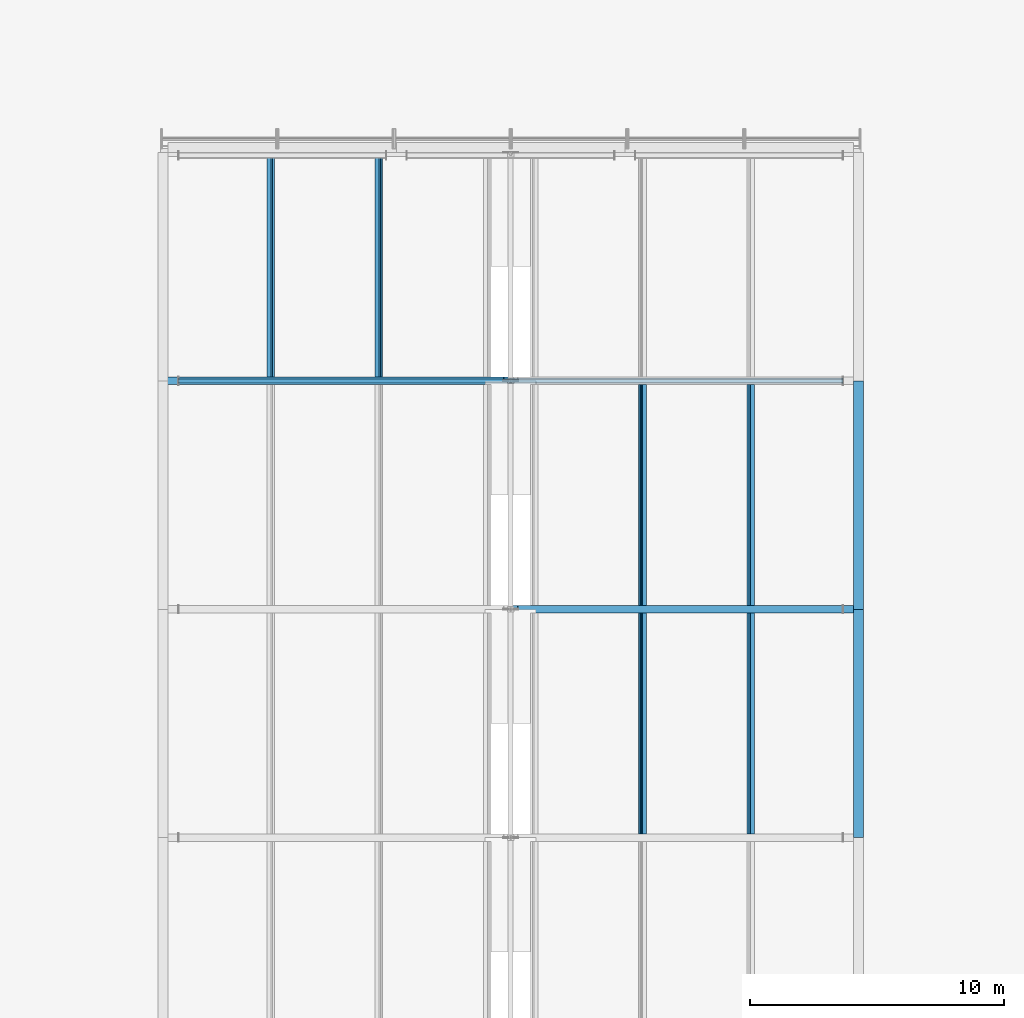
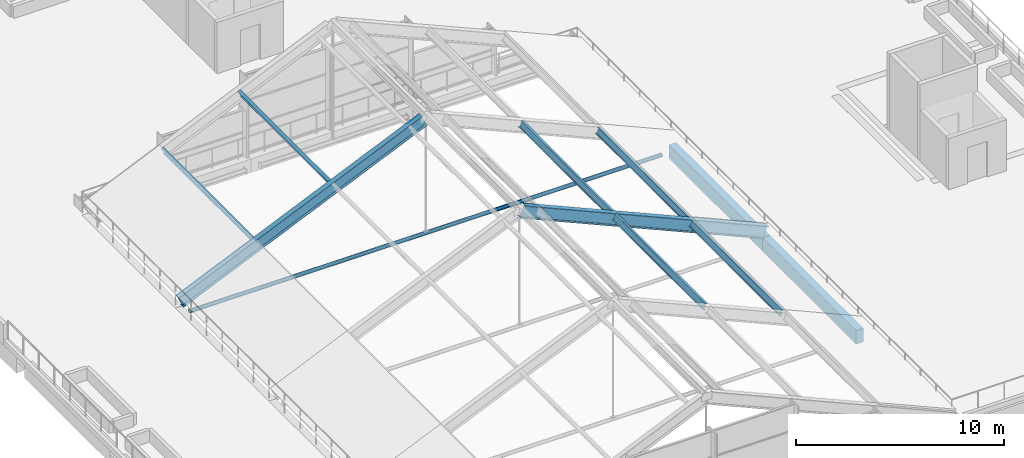
# One storey, part 42 of 106: 7 members, 4 beams.
"""IFC4 building model written with IfcOpenShell, lengths in metres."""

from ifc_helpers import new_model, si_unit, direction, frame, origin, origin_2d, place, context, subcontext, project, spatial, rectangle, hollow_circle, i_section, extrude, material, material_profile, profile_set, type_object, element, save


model = new_model("IFC4")

# Units and contexts
model_context = context("Model", 3, precision=1e-05, world=origin(), true_north=direction((0.0, 1.0)))
body_context = subcontext(model_context, "Body", "Model", "MODEL_VIEW")
ifc_project = project(units=[si_unit("LENGTHUNIT", "METRE"), si_unit("AREAUNIT", "SQUARE_METRE"), si_unit("VOLUMEUNIT", "CUBIC_METRE"), si_unit("PLANEANGLEUNIT", "RADIAN"), si_unit("MASSUNIT", "GRAM", prefix="KILO")], contexts=[model_context])

# Site, building, storey
site_placement = place(None, origin())
site = spatial("IfcSite", under=ifc_project, at=site_placement, CompositionType="ELEMENT")
building_placement = place(site_placement, origin())
building = spatial("IfcBuilding", under=site, at=building_placement, Name="Guidao Yard Department Store", CompositionType="ELEMENT")
storey_placement = place(building_placement, frame((0.0, 0.0, 10.5)))
storey = spatial("IfcBuildingStorey", under=building, at=storey_placement, Name="L02", CompositionType="ELEMENT", Elevation=10.5)

# Members
ifc_material_1 = material(Name="Steel Q355B", Category="steel")
ifc_material_profile_1 = material_profile(ifc_material_1, hollow_circle(Radius=0.109619140625, WallThickness=0.010009765625, at=origin_2d()), Name="CHS 219x10")
ifc_profile_set_1 = profile_set([ifc_material_profile_1], Name="Steel Q355B")
member_type_1 = type_object("IfcMemberType", Name="CHS 219x10", PredefinedType="BRACE", material=ifc_profile_set_1)
member_placement = place(storey_placement, frame((126.39990234375, 81.0, -0.449951171875), z_axis=(1.0, 0.0, 0.0), x_axis=(0.0, 1.0, 0.0)))
element("IfcMember", 1, at=member_placement, inside=storey, type_object=member_type_1, Name="Roof tie rod F04", PredefinedType="BRACE", context=body_context, shape_type="SweptSolid", body=[
    extrude(hollow_circle(Radius=0.109619140625, WallThickness=0.010009765625, at=origin_2d()), origin(), (0.0, 0.0, 1.0), 26.2001953125),
])
ifc_material_2 = material(Name="Steel Q355B", Category="steel")
ifc_material_profile_2 = material_profile(ifc_material_2, i_section(OverallWidth=0.175048828125, OverallDepth=0.35009765625, WebThickness=0.007080078125, FlangeThickness=0.010986328125, FilletRadius=0.012939453125, at=origin_2d()), Name="HN 350x175x7x11")
ifc_profile_set_2 = profile_set([ifc_material_profile_2], Name="Steel Q355B")
member_type_2 = type_object("IfcMemberType", Name="HN 350x175x7x11", PredefinedType="PURLIN", material=ifc_profile_set_2)
for number, where, z_axis, x_axis, name in (
    (2, (130.039306640625, 81.14990234375, 2.354736328125), (0.0, 1.0, 0.0), (-0.915526159115, 0.0, -0.402258439285), "Roof purlin F04-01"),
    (3, (134.304931640625, 81.14990234375, 4.22900390625), (0.0, 1.0, 0.0), (-0.915526159115, 0.0, -0.402258439285), "Roof purlin F04-02"),
    (4, (144.695068359375, 63.14990234375, 4.22900390625), (0.0, 1.0, 0.0), (-0.915526159115, 0.0, 0.402258439285), "Roof purlin F02-06"),
    (5, (144.695068359375, 72.14990234375, 4.22900390625), (0.0, 1.0, 0.0), (-0.915526159115, 0.0, 0.402258439285), "Roof purlin F03-06"),
    (6, (148.960693359375, 63.14990234375, 2.354736328125), (0.0, 1.0, 0.0), (-0.915526159115, 0.0, 0.402258439285), "Roof purlin F02-07"),
    (7, (148.960693359375, 72.14990234375, 2.354736328125), (0.0, 1.0, 0.0), (-0.915526159115, 0.0, 0.402258439285), "Roof purlin F03-07"),
):
    element("IfcMember", number, at=place(storey_placement, frame(where, z_axis=z_axis, x_axis=x_axis)), inside=storey, type_object=member_type_2, Name=name, PredefinedType="PURLIN", context=body_context, shape_type="SweptSolid", body=[
        extrude(i_section(OverallWidth=0.175048828125, OverallDepth=0.35009765625, WebThickness=0.007080078125, FlangeThickness=0.010986328125, FilletRadius=0.012939453125, at=origin_2d()), origin(), (0.0, 0.0, 1.0), 8.7001953125),
    ])

# Beams
ifc_material_3 = material(Name="Steel Q355B", Category="steel")
ifc_material_profile_3 = material_profile(ifc_material_3, i_section(OverallWidth=0.300048828125, OverallDepth=0.699951171875, WebThickness=0.012939453125, FlangeThickness=0.02392578125, FilletRadius=0.01806640625, at=origin_2d()), Name="HN 700x300x13x24")
ifc_profile_set_3 = profile_set([ifc_material_profile_3], Name="Steel Q355B")
beam_type_1 = type_object("IfcBeamType", Name="HN 700x300x13x24", PredefinedType="BEAM", material=ifc_profile_set_3)
for number, where, z_axis, x_axis, name in (
    (8, (139.640869140625, 72.0, 6.258544921875), (0.915522684048, 0.0, -0.402266348323), (0.0, 1.0, 0.0), "Roof rib F03-02"),
    (9, (125.84423828125, 81.0, 0.3203125), (0.915522684048, 0.0, 0.402266348323), (0.0, 1.0, 0.0), "Roof rib F04-01"),
):
    element("IfcBeam", number, at=place(storey_placement, frame(where, z_axis=z_axis, x_axis=x_axis)), inside=storey, type_object=beam_type_1, Name=name, PredefinedType="BEAM", context=body_context, shape_type="SweptSolid", body=[
        extrude(i_section(OverallWidth=0.300048828125, OverallDepth=0.699951171875, WebThickness=0.012939453125, FlangeThickness=0.02392578125, FilletRadius=0.01806640625, at=origin_2d()), origin(), (0.0, 0.0, 1.0), 14.761962890625),
    ])
ifc_material_4 = material(Name="Concrete C40", Category="concrete")
ifc_material_profile_4 = material_profile(ifc_material_4, rectangle(XDim=0.39990234375, YDim=0.800048828125, at=origin_2d()), Name="Vault bearing beam 400 x 800 C40")
ifc_profile_set_4 = profile_set([ifc_material_profile_4], Name="Concrete C40")
beam_type_2 = type_object("IfcBeamType", Name="Vault bearing beam 400 x 800 C40", PredefinedType="BEAM", material=ifc_profile_set_4)
for number, where, z_axis, x_axis, name in (
    (10, (153.199951171875, 63.0, -0.39990234375), (0.0, 1.0, 0.0), (-1.0, 0.0, 0.0), "Beam VB02"),
    (11, (153.199951171875, 72.0, -0.39990234375), (0.0, 1.0, 0.0), (-1.0, 0.0, 0.0), "Beam VB03"),
):
    element("IfcBeam", number, at=place(storey_placement, frame(where, z_axis=z_axis, x_axis=x_axis)), inside=storey, type_object=beam_type_2, Name=name, PredefinedType="BEAM", context=body_context, shape_type="SweptSolid", body=[
        extrude(rectangle(XDim=0.39990234375, YDim=0.800048828125, at=origin_2d()), origin(), (0.0, 0.0, 1.0), 9.0),
    ])

save(model, "model.ifc")
